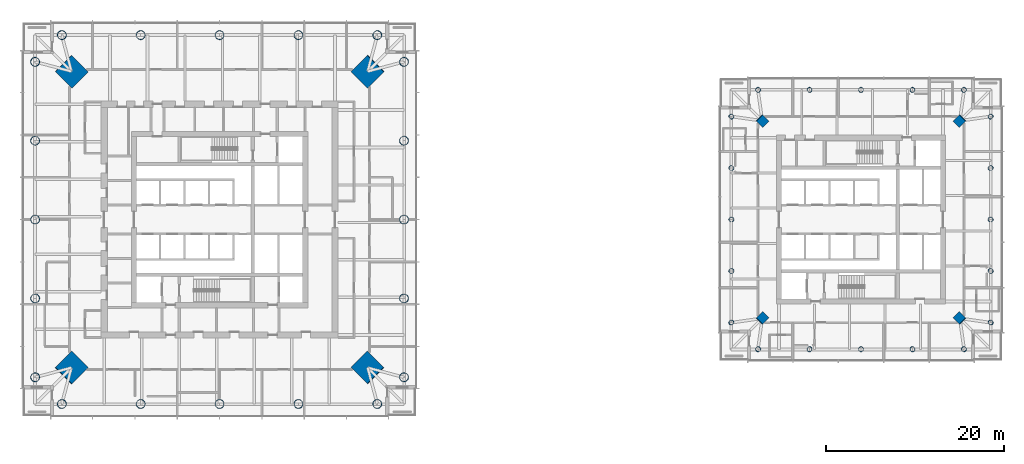
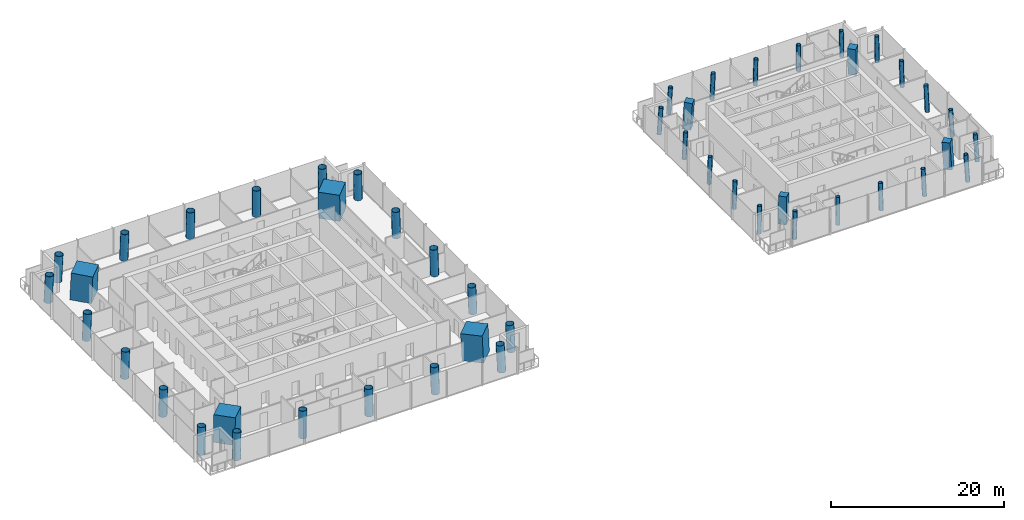
# One storey, part 1 of 18: 48 columns.
"""IFC4 building model written with IfcOpenShell, lengths in metres."""

from ifc_helpers import new_model, si_unit, direction, frame, origin, origin_2d, place, context, subcontext, project, spatial, rectangle, hollow_circle, extrude, material, material_profile, profile_set, type_object, element, save


model = new_model("IFC4")

# Units and contexts
model_context = context("Model", 3, precision=1e-05, world=origin(), true_north=direction((0.0, 1.0)))
body_context = subcontext(model_context, "Body", "Model", "MODEL_VIEW")
ifc_project = project(units=[si_unit("LENGTHUNIT", "METRE"), si_unit("AREAUNIT", "SQUARE_METRE"), si_unit("VOLUMEUNIT", "CUBIC_METRE"), si_unit("PLANEANGLEUNIT", "RADIAN"), si_unit("MASSUNIT", "GRAM", prefix="KILO")], contexts=[model_context])

# Site, building, storey
site_placement = place(None, origin())
site = spatial("IfcSite", under=ifc_project, at=site_placement, CompositionType="ELEMENT")
building_placement = place(site_placement, origin())
building = spatial("IfcBuilding", under=site, at=building_placement, Name="Ostroluk Exchange", CompositionType="ELEMENT")
storey_placement = place(building_placement, frame((0.0, 0.0, 123.60009765625)))
storey = spatial("IfcBuildingStorey", under=building, at=storey_placement, Name="L31", CompositionType="ELEMENT", Elevation=123.60009765625)

# Columns
ifc_material_1 = material(Name="Concrete C50/60", Category="concrete")
ifc_material_profile_1 = material_profile(ifc_material_1, rectangle(XDim=1.0, YDim=1.0, at=origin_2d()), Name="RC 1000x1000")
ifc_profile_set_1 = profile_set([ifc_material_profile_1], Name="Concrete C50/60")
column_type_1 = type_object("IfcColumnType", Name="Mega column RC 1000x1000", PredefinedType="COLUMN", material=ifc_profile_set_1)
for number, where, z_axis, x_axis, name in (
    (1, (128.07763671875, 57.07763671875, 0.0), (-0.043032401563, -0.043032401563, 0.998146494675), (0.707106781187, -0.707106781187, 0.0), "T2 mega column NE"),
    (2, (105.92236328125, 57.07763671875, 0.0), (0.043032401563, -0.043032401563, 0.998146494675), (0.707106781187, 0.707106781187, 0.0), "T2 mega column NW"),
    (3, (105.92236328125, 34.92236328125, 0.0), (0.043032401563, 0.043032401563, 0.998146494675), (-0.707106781187, 0.707106781187, 0.0), "T2 mega column SW"),
    (4, (128.07763671875, 34.92236328125, 0.0), (-0.043032401563, 0.043032401563, 0.998146494675), (-0.707106781187, -0.707106781187, 0.0), "T2 mega column SE"),
):
    element("IfcColumn", number, at=place(storey_placement, frame(where, z_axis=z_axis, x_axis=x_axis)), inside=storey, type_object=column_type_1, Name=name, PredefinedType="COLUMN", context=body_context, shape_type="SweptSolid", body=[
        extrude(rectangle(XDim=1.0, YDim=1.0, at=origin_2d()), origin(), (0.0, 0.0, 1.0), 3.806884765625),
    ])
ifc_material_2 = material(Name="Concrete C50/60", Category="concrete")
ifc_material_profile_2 = material_profile(ifc_material_2, rectangle(XDim=2.60009765625, YDim=2.60009765625, at=origin_2d()), Name="RC 2600x2600")
ifc_profile_set_2 = profile_set([ifc_material_profile_2], Name="Concrete C50/60")
column_type_2 = type_object("IfcColumnType", Name="Mega column RC 2600x2600", PredefinedType="COLUMN", material=ifc_profile_set_2)
for number, where, z_axis, x_axis, name in (
    (5, (61.621337890625, 62.621337890625, 0.0), (-0.031900153262, -0.031900153262, 0.998981861919), (0.707106781187, -0.707106781187, 0.0), "T1 mega column NE"),
    (6, (28.378662109375, 62.621337890625, 0.0), (0.031900153262, -0.031900153262, 0.998981861919), (0.707106781187, 0.707106781187, 0.0), "T1 mega column NW"),
    (7, (28.378662109375, 29.378662109375, 0.0), (0.031900153262, 0.031900153262, 0.998981861919), (-0.707106781187, 0.707106781187, 0.0), "T1 mega column SW"),
    (8, (61.621337890625, 29.378662109375, 0.0), (-0.031900153262, 0.031900153262, 0.998981861919), (-0.707106781187, -0.707106781187, 0.0), "T1 mega column SE"),
):
    element("IfcColumn", number, at=place(storey_placement, frame(where, z_axis=z_axis, x_axis=x_axis)), inside=storey, type_object=column_type_2, Name=name, PredefinedType="COLUMN", context=body_context, shape_type="SweptSolid", body=[
        extrude(rectangle(XDim=2.60009765625, YDim=2.60009765625, at=origin_2d()), origin(), (0.0, 0.0, 1.0), 3.8037109375),
    ])
ifc_material_3 = material(Name="Steel S460", Category="steel")
ifc_material_profile_3 = material_profile(ifc_material_3, hollow_circle(Radius=0.508056640625, WallThickness=0.0400390625, at=origin_2d()), Name="CHS 1016x40")
ifc_profile_set_3 = profile_set([ifc_material_profile_3], Name="Steel S460")
column_type_3 = type_object("IfcColumnType", Name="Perimeter column CHS 1016x40", PredefinedType="COLUMN", material=ifc_profile_set_3)
for number, where, z_axis, x_axis, name in (
    (9, (65.721435546875, 28.278564453125, 0.0), (-0.031900153262, 0.031900153262, 0.998981861919), (-0.707106781187, -0.707106781187, 0.0), "T1 east face column E0"),
    (10, (65.721435546875, 63.721435546875, 0.0), (-0.031900153262, -0.031900153262, 0.998981861919), (0.707106781187, -0.707106781187, 0.0), "T1 east face column E1"),
):
    element("IfcColumn", number, at=place(storey_placement, frame(where, z_axis=z_axis, x_axis=x_axis)), inside=storey, type_object=column_type_3, Name=name, PredefinedType="COLUMN", context=body_context, shape_type="SweptSolid", body=[
        extrude(hollow_circle(Radius=0.508056640625, WallThickness=0.0400390625, at=origin_2d()), origin(), (0.0, 0.0, 1.0), 3.8037109375),
    ])
column_1_placement = place(storey_placement, frame((65.721435546875, 37.139404296875, 0.0), z_axis=(-0.031912349901, 0.015924069971, 0.999363810591), x_axis=(-0.446493300058, -0.894786976326, 0.0)))
element("IfcColumn", 11, at=column_1_placement, inside=storey, type_object=column_type_3, Name="T1 east face column I1", PredefinedType="COLUMN", context=body_context, shape_type="SweptSolid", body=[
    extrude(hollow_circle(Radius=0.508056640625, WallThickness=0.0400390625, at=origin_2d()), origin(), (0.0, 0.0, 1.0), 3.80224609375),
])
column_2_placement = place(storey_placement, frame((65.721435546875, 46.0, 0.0), z_axis=(-0.031916396774, 0.0, 0.999490542035), x_axis=(0.0, -1.0, 0.0)))
element("IfcColumn", 12, at=column_2_placement, inside=storey, type_object=column_type_3, Name="T1 east face column I2", PredefinedType="COLUMN", context=body_context, shape_type="SweptSolid", body=[
    extrude(hollow_circle(Radius=0.508056640625, WallThickness=0.0400390625, at=origin_2d()), origin(), (0.0, 0.0, 1.0), 3.8017578125),
])
column_3_placement = place(storey_placement, frame((65.721435546875, 54.860595703125, 0.0), z_axis=(-0.031912349901, -0.015924069971, 0.999363810591), x_axis=(0.446493300058, -0.894786976326, 0.0)))
element("IfcColumn", 13, at=column_3_placement, inside=storey, type_object=column_type_3, Name="T1 east face column I3", PredefinedType="COLUMN", context=body_context, shape_type="SweptSolid", body=[
    extrude(hollow_circle(Radius=0.508056640625, WallThickness=0.0400390625, at=origin_2d()), origin(), (0.0, 0.0, 1.0), 3.80224609375),
])
for number, where, z_axis, x_axis, name in (
    (14, (62.721435546875, 66.721435546875, 0.0), (-0.031900153262, -0.031900153262, 0.998981861919), (0.707106781187, -0.707106781187, 0.0), "T1 north face column E0"),
    (15, (27.278564453125, 66.721435546875, 0.0), (0.031900153262, -0.031900153262, 0.998981861919), (0.707106781187, 0.707106781187, 0.0), "T1 north face column E1"),
):
    element("IfcColumn", number, at=place(storey_placement, frame(where, z_axis=z_axis, x_axis=x_axis)), inside=storey, type_object=column_type_3, Name=name, PredefinedType="COLUMN", context=body_context, shape_type="SweptSolid", body=[
        extrude(hollow_circle(Radius=0.508056640625, WallThickness=0.0400390625, at=origin_2d()), origin(), (0.0, 0.0, 1.0), 3.8037109375),
    ])
column_4_placement = place(storey_placement, frame((53.860595703125, 66.721435546875, 0.0), z_axis=(-0.015924069971, -0.031912349901, 0.999363810591), x_axis=(0.894786976326, -0.446493300058, 0.0)))
element("IfcColumn", 16, at=column_4_placement, inside=storey, type_object=column_type_3, Name="T1 north face column I1", PredefinedType="COLUMN", context=body_context, shape_type="SweptSolid", body=[
    extrude(hollow_circle(Radius=0.508056640625, WallThickness=0.0400390625, at=origin_2d()), origin(), (0.0, 0.0, 1.0), 3.80224609375),
])
column_5_placement = place(storey_placement, frame((45.0, 66.721435546875, 0.0), z_axis=(0.0, -0.031916396774, 0.999490542035), x_axis=(1.0, 0.0, 0.0)))
element("IfcColumn", 17, at=column_5_placement, inside=storey, type_object=column_type_3, Name="T1 north face column I2", PredefinedType="COLUMN", context=body_context, shape_type="SweptSolid", body=[
    extrude(hollow_circle(Radius=0.508056640625, WallThickness=0.0400390625, at=origin_2d()), origin(), (0.0, 0.0, 1.0), 3.8017578125),
])
column_6_placement = place(storey_placement, frame((36.139404296875, 66.721435546875, 0.0), z_axis=(0.015924069971, -0.031912349901, 0.999363810591), x_axis=(0.894786976326, 0.446493300058, 0.0)))
element("IfcColumn", 18, at=column_6_placement, inside=storey, type_object=column_type_3, Name="T1 north face column I3", PredefinedType="COLUMN", context=body_context, shape_type="SweptSolid", body=[
    extrude(hollow_circle(Radius=0.508056640625, WallThickness=0.0400390625, at=origin_2d()), origin(), (0.0, 0.0, 1.0), 3.80224609375),
])
for number, where, z_axis, x_axis, name in (
    (19, (24.278564453125, 63.721435546875, 0.0), (0.031900153262, -0.031900153262, 0.998981861919), (0.707106781187, 0.707106781187, 0.0), "T1 west face column E0"),
    (20, (24.278564453125, 28.278564453125, 0.0), (0.031900153262, 0.031900153262, 0.998981861919), (-0.707106781187, 0.707106781187, 0.0), "T1 west face column E1"),
):
    element("IfcColumn", number, at=place(storey_placement, frame(where, z_axis=z_axis, x_axis=x_axis)), inside=storey, type_object=column_type_3, Name=name, PredefinedType="COLUMN", context=body_context, shape_type="SweptSolid", body=[
        extrude(hollow_circle(Radius=0.508056640625, WallThickness=0.0400390625, at=origin_2d()), origin(), (0.0, 0.0, 1.0), 3.8037109375),
    ])
column_7_placement = place(storey_placement, frame((24.278564453125, 54.860595703125, 0.0), z_axis=(0.031912349901, -0.015924069971, 0.999363810591), x_axis=(0.446493300058, 0.894786976326, 0.0)))
element("IfcColumn", 21, at=column_7_placement, inside=storey, type_object=column_type_3, Name="T1 west face column I1", PredefinedType="COLUMN", context=body_context, shape_type="SweptSolid", body=[
    extrude(hollow_circle(Radius=0.508056640625, WallThickness=0.0400390625, at=origin_2d()), origin(), (0.0, 0.0, 1.0), 3.80224609375),
])
column_8_placement = place(storey_placement, frame((24.278564453125, 46.0, 0.0), z_axis=(0.031916396774, 0.0, 0.999490542035), x_axis=(0.0, 1.0, 0.0)))
element("IfcColumn", 22, at=column_8_placement, inside=storey, type_object=column_type_3, Name="T1 west face column I2", PredefinedType="COLUMN", context=body_context, shape_type="SweptSolid", body=[
    extrude(hollow_circle(Radius=0.508056640625, WallThickness=0.0400390625, at=origin_2d()), origin(), (0.0, 0.0, 1.0), 3.8017578125),
])
column_9_placement = place(storey_placement, frame((24.278564453125, 37.139404296875, 0.0), z_axis=(0.031912349901, 0.015924069971, 0.999363810591), x_axis=(-0.446493300058, 0.894786976326, 0.0)))
element("IfcColumn", 23, at=column_9_placement, inside=storey, type_object=column_type_3, Name="T1 west face column I3", PredefinedType="COLUMN", context=body_context, shape_type="SweptSolid", body=[
    extrude(hollow_circle(Radius=0.508056640625, WallThickness=0.0400390625, at=origin_2d()), origin(), (0.0, 0.0, 1.0), 3.80224609375),
])
for number, where, z_axis, x_axis, name in (
    (24, (27.278564453125, 25.278564453125, 0.0), (0.031900153262, 0.031900153262, 0.998981861919), (-0.707106781187, 0.707106781187, 0.0), "T1 south face column E0"),
    (25, (62.721435546875, 25.278564453125, 0.0), (-0.031900153262, 0.031900153262, 0.998981861919), (-0.707106781187, -0.707106781187, 0.0), "T1 south face column E1"),
):
    element("IfcColumn", number, at=place(storey_placement, frame(where, z_axis=z_axis, x_axis=x_axis)), inside=storey, type_object=column_type_3, Name=name, PredefinedType="COLUMN", context=body_context, shape_type="SweptSolid", body=[
        extrude(hollow_circle(Radius=0.508056640625, WallThickness=0.0400390625, at=origin_2d()), origin(), (0.0, 0.0, 1.0), 3.8037109375),
    ])
column_10_placement = place(storey_placement, frame((36.139404296875, 25.278564453125, 0.0), z_axis=(0.015924069971, 0.031912349901, 0.999363810591), x_axis=(-0.894786976326, 0.446493300058, 0.0)))
element("IfcColumn", 26, at=column_10_placement, inside=storey, type_object=column_type_3, Name="T1 south face column I1", PredefinedType="COLUMN", context=body_context, shape_type="SweptSolid", body=[
    extrude(hollow_circle(Radius=0.508056640625, WallThickness=0.0400390625, at=origin_2d()), origin(), (0.0, 0.0, 1.0), 3.80224609375),
])
column_11_placement = place(storey_placement, frame((45.0, 25.278564453125, 0.0), z_axis=(0.0, 0.031916396774, 0.999490542035), x_axis=(-1.0, 0.0, 0.0)))
element("IfcColumn", 27, at=column_11_placement, inside=storey, type_object=column_type_3, Name="T1 south face column I2", PredefinedType="COLUMN", context=body_context, shape_type="SweptSolid", body=[
    extrude(hollow_circle(Radius=0.508056640625, WallThickness=0.0400390625, at=origin_2d()), origin(), (0.0, 0.0, 1.0), 3.8017578125),
])
column_12_placement = place(storey_placement, frame((53.860595703125, 25.278564453125, 0.0), z_axis=(-0.015924069971, 0.031912349901, 0.999363810591), x_axis=(-0.894786976326, -0.446493300058, 0.0)))
element("IfcColumn", 28, at=column_12_placement, inside=storey, type_object=column_type_3, Name="T1 south face column I3", PredefinedType="COLUMN", context=body_context, shape_type="SweptSolid", body=[
    extrude(hollow_circle(Radius=0.508056640625, WallThickness=0.0400390625, at=origin_2d()), origin(), (0.0, 0.0, 1.0), 3.80224609375),
])
ifc_material_4 = material(Name="Steel S460", Category="steel")
ifc_material_profile_4 = material_profile(ifc_material_4, hollow_circle(Radius=0.279541015625, WallThickness=0.02001953125, at=origin_2d()), Name="CHS 559x20")
ifc_profile_set_4 = profile_set([ifc_material_profile_4], Name="Steel S460")
column_type_4 = type_object("IfcColumnType", Name="Perimeter column CHS 559x20", PredefinedType="COLUMN", material=ifc_profile_set_4)
for number, where, z_axis, x_axis, name in (
    (29, (131.57763671875, 34.42236328125, 0.0), (-0.043032401563, 0.043032401563, 0.998146494675), (-0.707106781187, -0.707106781187, 0.0), "T2 east face column E0"),
    (30, (131.57763671875, 57.57763671875, 0.0), (-0.043032401563, -0.043032401563, 0.998146494675), (0.707106781187, -0.707106781187, 0.0), "T2 east face column E1"),
):
    element("IfcColumn", number, at=place(storey_placement, frame(where, z_axis=z_axis, x_axis=x_axis)), inside=storey, type_object=column_type_4, Name=name, PredefinedType="COLUMN", context=body_context, shape_type="SweptSolid", body=[
        extrude(hollow_circle(Radius=0.279541015625, WallThickness=0.02001953125, at=origin_2d()), origin(), (0.0, 0.0, 1.0), 3.806884765625),
    ])
column_13_placement = place(storey_placement, frame((131.57763671875, 40.211181640625, 0.0), z_axis=(-0.043062285527, 0.021563230905, 0.998839660125), x_axis=(-0.44774654769, -0.894160516368, 0.0)))
element("IfcColumn", 31, at=column_13_placement, inside=storey, type_object=column_type_4, Name="T2 east face column I1", PredefinedType="COLUMN", context=body_context, shape_type="SweptSolid", body=[
    extrude(hollow_circle(Radius=0.279541015625, WallThickness=0.02001953125, at=origin_2d()), origin(), (0.0, 0.0, 1.0), 3.80419921875),
])
column_14_placement = place(storey_placement, frame((131.57763671875, 46.0, 0.0), z_axis=(-0.043072300418, 0.0, 0.999071957837), x_axis=(0.0, -1.0, 0.0)))
element("IfcColumn", 32, at=column_14_placement, inside=storey, type_object=column_type_4, Name="T2 east face column I2", PredefinedType="COLUMN", context=body_context, shape_type="SweptSolid", body=[
    extrude(hollow_circle(Radius=0.279541015625, WallThickness=0.02001953125, at=origin_2d()), origin(), (0.0, 0.0, 1.0), 3.80322265625),
])
column_15_placement = place(storey_placement, frame((131.57763671875, 51.788818359375, 0.0), z_axis=(-0.043062285527, -0.021563230905, 0.998839660125), x_axis=(0.44774654769, -0.894160516368, 0.0)))
element("IfcColumn", 33, at=column_15_placement, inside=storey, type_object=column_type_4, Name="T2 east face column I3", PredefinedType="COLUMN", context=body_context, shape_type="SweptSolid", body=[
    extrude(hollow_circle(Radius=0.279541015625, WallThickness=0.02001953125, at=origin_2d()), origin(), (0.0, 0.0, 1.0), 3.80419921875),
])
for number, where, z_axis, x_axis, name in (
    (34, (128.57763671875, 60.57763671875, 0.0), (-0.043032401563, -0.043032401563, 0.998146494675), (0.707106781187, -0.707106781187, 0.0), "T2 north face column E0"),
    (35, (105.42236328125, 60.57763671875, 0.0), (0.043032401563, -0.043032401563, 0.998146494675), (0.707106781187, 0.707106781187, 0.0), "T2 north face column E1"),
):
    element("IfcColumn", number, at=place(storey_placement, frame(where, z_axis=z_axis, x_axis=x_axis)), inside=storey, type_object=column_type_4, Name=name, PredefinedType="COLUMN", context=body_context, shape_type="SweptSolid", body=[
        extrude(hollow_circle(Radius=0.279541015625, WallThickness=0.02001953125, at=origin_2d()), origin(), (0.0, 0.0, 1.0), 3.806884765625),
    ])
column_16_placement = place(storey_placement, frame((122.788818359375, 60.57763671875, 0.0), z_axis=(-0.021563230905, -0.043062285527, 0.998839660125), x_axis=(0.894160516368, -0.44774654769, 0.0)))
element("IfcColumn", 36, at=column_16_placement, inside=storey, type_object=column_type_4, Name="T2 north face column I1", PredefinedType="COLUMN", context=body_context, shape_type="SweptSolid", body=[
    extrude(hollow_circle(Radius=0.279541015625, WallThickness=0.02001953125, at=origin_2d()), origin(), (0.0, 0.0, 1.0), 3.80419921875),
])
column_17_placement = place(storey_placement, frame((117.0, 60.57763671875, 0.0), z_axis=(0.0, -0.043072300418, 0.999071957837), x_axis=(1.0, 0.0, 0.0)))
element("IfcColumn", 37, at=column_17_placement, inside=storey, type_object=column_type_4, Name="T2 north face column I2", PredefinedType="COLUMN", context=body_context, shape_type="SweptSolid", body=[
    extrude(hollow_circle(Radius=0.279541015625, WallThickness=0.02001953125, at=origin_2d()), origin(), (0.0, 0.0, 1.0), 3.80322265625),
])
column_18_placement = place(storey_placement, frame((111.211181640625, 60.57763671875, 0.0), z_axis=(0.021563230905, -0.043062285527, 0.998839660125), x_axis=(0.894160516368, 0.44774654769, 0.0)))
element("IfcColumn", 38, at=column_18_placement, inside=storey, type_object=column_type_4, Name="T2 north face column I3", PredefinedType="COLUMN", context=body_context, shape_type="SweptSolid", body=[
    extrude(hollow_circle(Radius=0.279541015625, WallThickness=0.02001953125, at=origin_2d()), origin(), (0.0, 0.0, 1.0), 3.80419921875),
])
for number, where, z_axis, x_axis, name in (
    (39, (102.42236328125, 57.57763671875, 0.0), (0.043032401563, -0.043032401563, 0.998146494675), (0.707106781187, 0.707106781187, 0.0), "T2 west face column E0"),
    (40, (102.42236328125, 34.42236328125, 0.0), (0.043032401563, 0.043032401563, 0.998146494675), (-0.707106781187, 0.707106781187, 0.0), "T2 west face column E1"),
):
    element("IfcColumn", number, at=place(storey_placement, frame(where, z_axis=z_axis, x_axis=x_axis)), inside=storey, type_object=column_type_4, Name=name, PredefinedType="COLUMN", context=body_context, shape_type="SweptSolid", body=[
        extrude(hollow_circle(Radius=0.279541015625, WallThickness=0.02001953125, at=origin_2d()), origin(), (0.0, 0.0, 1.0), 3.806884765625),
    ])
column_19_placement = place(storey_placement, frame((102.42236328125, 51.788818359375, 0.0), z_axis=(0.043062285527, -0.021563230905, 0.998839660125), x_axis=(0.44774654769, 0.894160516368, 0.0)))
element("IfcColumn", 41, at=column_19_placement, inside=storey, type_object=column_type_4, Name="T2 west face column I1", PredefinedType="COLUMN", context=body_context, shape_type="SweptSolid", body=[
    extrude(hollow_circle(Radius=0.279541015625, WallThickness=0.02001953125, at=origin_2d()), origin(), (0.0, 0.0, 1.0), 3.80419921875),
])
column_20_placement = place(storey_placement, frame((102.42236328125, 46.0, 0.0), z_axis=(0.043072300418, 0.0, 0.999071957837), x_axis=(0.0, 1.0, 0.0)))
element("IfcColumn", 42, at=column_20_placement, inside=storey, type_object=column_type_4, Name="T2 west face column I2", PredefinedType="COLUMN", context=body_context, shape_type="SweptSolid", body=[
    extrude(hollow_circle(Radius=0.279541015625, WallThickness=0.02001953125, at=origin_2d()), origin(), (0.0, 0.0, 1.0), 3.80322265625),
])
column_21_placement = place(storey_placement, frame((102.42236328125, 40.211181640625, 0.0), z_axis=(0.043062285527, 0.021563230905, 0.998839660125), x_axis=(-0.44774654769, 0.894160516368, 0.0)))
element("IfcColumn", 43, at=column_21_placement, inside=storey, type_object=column_type_4, Name="T2 west face column I3", PredefinedType="COLUMN", context=body_context, shape_type="SweptSolid", body=[
    extrude(hollow_circle(Radius=0.279541015625, WallThickness=0.02001953125, at=origin_2d()), origin(), (0.0, 0.0, 1.0), 3.80419921875),
])
for number, where, z_axis, x_axis, name in (
    (44, (105.42236328125, 31.42236328125, 0.0), (0.043032401563, 0.043032401563, 0.998146494675), (-0.707106781187, 0.707106781187, 0.0), "T2 south face column E0"),
    (45, (128.57763671875, 31.42236328125, 0.0), (-0.043032401563, 0.043032401563, 0.998146494675), (-0.707106781187, -0.707106781187, 0.0), "T2 south face column E1"),
):
    element("IfcColumn", number, at=place(storey_placement, frame(where, z_axis=z_axis, x_axis=x_axis)), inside=storey, type_object=column_type_4, Name=name, PredefinedType="COLUMN", context=body_context, shape_type="SweptSolid", body=[
        extrude(hollow_circle(Radius=0.279541015625, WallThickness=0.02001953125, at=origin_2d()), origin(), (0.0, 0.0, 1.0), 3.806884765625),
    ])
column_22_placement = place(storey_placement, frame((111.211181640625, 31.42236328125, 0.0), z_axis=(0.021563230905, 0.043062285527, 0.998839660125), x_axis=(-0.894160516368, 0.44774654769, 0.0)))
element("IfcColumn", 46, at=column_22_placement, inside=storey, type_object=column_type_4, Name="T2 south face column I1", PredefinedType="COLUMN", context=body_context, shape_type="SweptSolid", body=[
    extrude(hollow_circle(Radius=0.279541015625, WallThickness=0.02001953125, at=origin_2d()), origin(), (0.0, 0.0, 1.0), 3.80419921875),
])
column_23_placement = place(storey_placement, frame((117.0, 31.42236328125, 0.0), z_axis=(0.0, 0.043072300418, 0.999071957837), x_axis=(-1.0, 0.0, 0.0)))
element("IfcColumn", 47, at=column_23_placement, inside=storey, type_object=column_type_4, Name="T2 south face column I2", PredefinedType="COLUMN", context=body_context, shape_type="SweptSolid", body=[
    extrude(hollow_circle(Radius=0.279541015625, WallThickness=0.02001953125, at=origin_2d()), origin(), (0.0, 0.0, 1.0), 3.80322265625),
])
column_24_placement = place(storey_placement, frame((122.788818359375, 31.42236328125, 0.0), z_axis=(-0.021563230905, 0.043062285527, 0.998839660125), x_axis=(-0.894160516368, -0.44774654769, 0.0)))
element("IfcColumn", 48, at=column_24_placement, inside=storey, type_object=column_type_4, Name="T2 south face column I3", PredefinedType="COLUMN", context=body_context, shape_type="SweptSolid", body=[
    extrude(hollow_circle(Radius=0.279541015625, WallThickness=0.02001953125, at=origin_2d()), origin(), (0.0, 0.0, 1.0), 3.80419921875),
])

save(model, "model.ifc")
